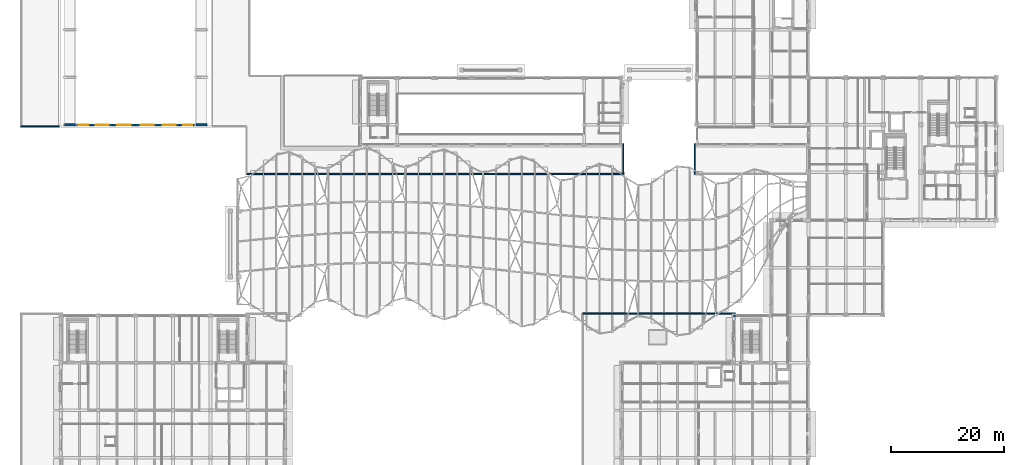
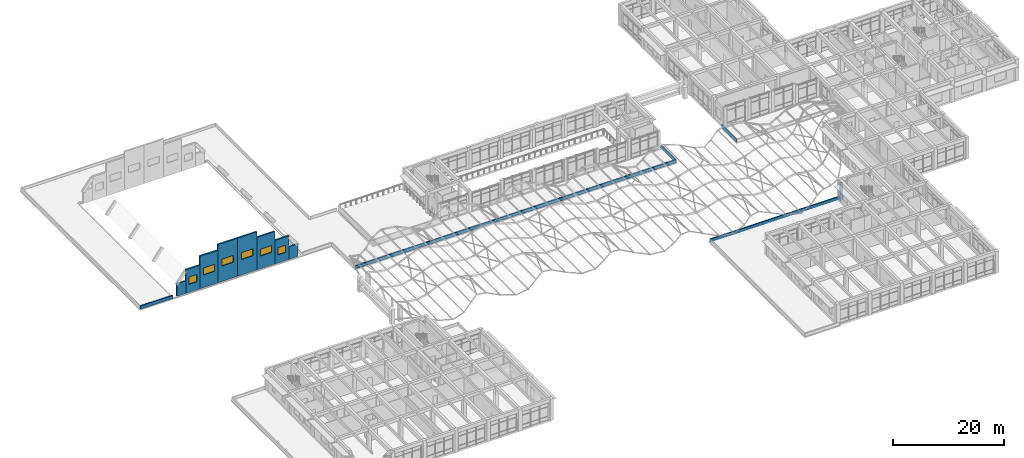
# One storey, part 54 of 79: 14 walls, 6 windows, 6 openings.
"""IFC4 building model written with IfcOpenShell, lengths in metres."""

from ifc_helpers import new_model, si_unit, direction, frame, frame_2d, origin, place, context, subcontext, project, spatial, rectangle, extrude, material, layer, layer_set, type_object, element, fill, save


model = new_model("IFC4")

# Units and contexts
model_context = context("Model", 3, precision=1e-05, world=origin(), true_north=direction((0.0, 1.0)))
body_context = subcontext(model_context, "Body", "Model", "MODEL_VIEW")
ifc_project = project(units=[si_unit("LENGTHUNIT", "METRE"), si_unit("AREAUNIT", "SQUARE_METRE"), si_unit("VOLUMEUNIT", "CUBIC_METRE"), si_unit("PLANEANGLEUNIT", "RADIAN"), si_unit("MASSUNIT", "GRAM", prefix="KILO")], contexts=[model_context])

# Site, building, storey
site_placement = place(None, origin())
site = spatial("IfcSite", under=ifc_project, at=site_placement, CompositionType="ELEMENT")
building_placement = place(site_placement, origin())
building = spatial("IfcBuilding", under=site, at=building_placement, Name="Kolvaren Faculty of Natural Sciences", CompositionType="ELEMENT")
storey_placement = place(building_placement, frame((0.0, 0.0, 10.199951171875)))
storey = spatial("IfcBuildingStorey", under=building, at=storey_placement, Name="L02", CompositionType="ELEMENT", Elevation=10.199951171875)

# Walls
ifc_material_1 = material(Name="Sandstone-faced insulated cavity masonry", Category="masonry")
ifc_layer_1 = layer(ifc_material_1, 0.300048828125)
ifc_layer_set_1 = layer_set([ifc_layer_1], Name="Sandstone-faced insulated cavity masonry")
wall_type_1 = type_object("IfcWallType", Name="ExteriorCavityWall_300", PredefinedType="STANDARD", material=ifc_layer_set_1)
wall_1_placement = place(storey_placement, frame((125.60009765625, 42.050048828125, 0.0), z_axis=(0.0, 0.0, 1.0), x_axis=(1.0, 0.0, 0.0)))
element("IfcWall", 1, at=wall_1_placement, inside=storey, type_object=wall_type_1, Name="L02 curtain-wall pier stub 353", PredefinedType="STANDARD", context=body_context, shape_type="SweptSolid", body=[
    extrude(rectangle(XDim=0.52001953125, YDim=0.300048828125, at=frame_2d((0.260009765625, 0.0))), origin(), (0.0, 0.0, 1.0), 3.93505859375),
])
ifc_material_2 = material(Name="Concrete C40/50", Category="concrete")
ifc_layer_2 = layer(ifc_material_2, 0.320068359375)
ifc_layer_set_2 = layer_set([ifc_layer_2], Name="Concrete C40/50")
wall_type_2 = type_object("IfcWallType", Name="LectureBearingWall_320", PredefinedType="SHEAR", material=ifc_layer_set_2)
wall_2_placement = place(storey_placement, frame((9.321044921875, 75.800048828125, -0.050048828125), z_axis=(0.0, 0.0, 1.0), x_axis=(-1.0, 0.0, 0.0)))
element("IfcWall", 2, at=wall_2_placement, inside=storey, type_object=wall_type_2, Name="Lecture Theatre Pavilion Barrel Vault Shell S semicircular arch tympanum wall 2", PredefinedType="SHEAR", context=body_context, shape_type="SweptSolid", body=[
    extrude(rectangle(XDim=1.875, YDim=0.320068359375, at=frame_2d((0.9375, 0.0))), origin(), (0.0, 0.0, 1.0), 2.74951171875),
])

# Wall, opening, window
wall_3_placement = place(storey_placement, frame((12.2412109375, 75.800048828125, -0.050048828125), z_axis=(0.0, 0.0, 1.0), x_axis=(-1.0, 0.0, 0.0)))
wall_3 = element("IfcWall", 3, at=wall_3_placement, inside=storey, type_object=wall_type_2, Name="Lecture Theatre Pavilion Barrel Vault Shell S semicircular arch tympanum wall 3", PredefinedType="SHEAR", context=body_context, shape_type="SweptSolid", body=[
    extrude(rectangle(XDim=2.920166015625, YDim=0.320068359375, at=frame_2d((1.4599609375, 0.0))), origin(), (0.0, 0.0, 1.0), 5.20263671875),
])
opening_1_placement = place(wall_3_placement, frame((0.66015625, 0.0, 1.776123046875)))
opening_1 = element("IfcOpeningElement", 4, at=opening_1_placement, cuts=wall_3, Name="Opening WIN-15", PredefinedType="OPENING", context=body_context, shape_type="SweptSolid", body=[
    extrude(rectangle(XDim=1.60009765625, YDim=1.60009765625, at=frame_2d((0.800048828125, 0.800048828125))), frame((0.0, 0.169921875, 0.0), z_axis=(0.0, -1.0, 0.0), x_axis=(1.0, 0.0, 0.0)), (0.0, 0.0, 1.0), 0.340087890625),
])
ifc_material_3 = material(Name="Double low-E solar control insulated glazing", Category="glass")
window_type_1 = type_object("IfcWindowType", Name="AluWindow_WIN15_1600x1600", PartitioningType="SINGLE_PANEL", PredefinedType="WINDOW", material=ifc_material_3)
window_1_placement = place(opening_1_placement, origin())
window_1 = element("IfcWindow", 5, at=window_1_placement, inside=storey, type_object=window_type_1, Name="WNT-V1-S-03", OverallHeight=1.60009765625, OverallWidth=1.60009765625, PartitioningType="SINGLE_PANEL", PredefinedType="WINDOW", context=body_context, shape_type="SweptSolid", body=[
    extrude(rectangle(XDim=1.60009765625, YDim=1.60009765625, at=frame_2d((0.800048828125, 0.800048828125))), frame((0.0, 0.030029296875, 0.0), z_axis=(0.0, -1.0, 0.0), x_axis=(1.0, 0.0, 0.0)), (0.0, 0.0, 1.0), 0.06005859375),
])
fill(opening_1, window_1)

wall_4_placement = place(storey_placement, frame((15.9208984375, 75.800048828125, -0.050048828125), z_axis=(0.0, 0.0, 1.0), x_axis=(-1.0, 0.0, 0.0)))
wall_4 = element("IfcWall", 6, at=wall_4_placement, inside=storey, type_object=wall_type_2, Name="Lecture Theatre Pavilion Barrel Vault Shell S semicircular arch tympanum wall 4", PredefinedType="SHEAR", context=body_context, shape_type="SweptSolid", body=[
    extrude(rectangle(XDim=3.6796875, YDim=0.320068359375, at=frame_2d((1.83984375, 0.0))), origin(), (0.0, 0.0, 1.0), 7.1494140625),
])
opening_2_placement = place(wall_4_placement, frame((0.664794921875, 0.0, 2.799560546875)))
opening_2 = element("IfcOpeningElement", 7, at=opening_2_placement, cuts=wall_4, Name="Opening WIN-18", PredefinedType="OPENING", context=body_context, shape_type="SweptSolid", body=[
    extrude(rectangle(XDim=2.35009765625, YDim=1.5, at=frame_2d((1.175048828125, 0.75))), frame((0.0, 0.169921875, 0.0), z_axis=(0.0, -1.0, 0.0), x_axis=(1.0, 0.0, 0.0)), (0.0, 0.0, 1.0), 0.340087890625),
])
window_type_2 = type_object("IfcWindowType", Name="AluWindow_WIN18_2350x1500", PartitioningType="SINGLE_PANEL", PredefinedType="WINDOW", material=ifc_material_3)
window_2_placement = place(opening_2_placement, origin())
window_2 = element("IfcWindow", 8, at=window_2_placement, inside=storey, type_object=window_type_2, Name="WNT-V1-S-04", OverallHeight=1.5, OverallWidth=2.35009765625, PartitioningType="SINGLE_PANEL", PredefinedType="WINDOW", context=body_context, shape_type="SweptSolid", body=[
    extrude(rectangle(XDim=2.35009765625, YDim=1.5, at=frame_2d((1.175048828125, 0.75))), frame((0.0, 0.030029296875, 0.0), z_axis=(0.0, -1.0, 0.0), x_axis=(1.0, 0.0, 0.0)), (0.0, 0.0, 1.0), 0.06005859375),
])
fill(opening_2, window_2)

wall_5_placement = place(storey_placement, frame((20.0, 75.800048828125, -0.050048828125), z_axis=(0.0, 0.0, 1.0), x_axis=(-1.0, 0.0, 0.0)))
wall_5 = element("IfcWall", 9, at=wall_5_placement, inside=storey, type_object=wall_type_2, Name="Lecture Theatre Pavilion Barrel Vault Shell S semicircular arch tympanum wall 5", PredefinedType="SHEAR", context=body_context, shape_type="SweptSolid", body=[
    extrude(rectangle(XDim=4.0791015625, YDim=0.320068359375, at=frame_2d((2.03955078125, 0.0))), origin(), (0.0, 0.0, 1.0), 8.3994140625),
])
opening_3_placement = place(wall_5_placement, frame((0.864501953125, 0.0, 3.424560546875)))
opening_3 = element("IfcOpeningElement", 10, at=opening_3_placement, cuts=wall_5, Name="Opening WIN-18", PredefinedType="OPENING", context=body_context, shape_type="SweptSolid", body=[
    extrude(rectangle(XDim=2.35009765625, YDim=1.5, at=frame_2d((1.175048828125, 0.75))), frame((0.0, 0.169921875, 0.0), z_axis=(0.0, -1.0, 0.0), x_axis=(1.0, 0.0, 0.0)), (0.0, 0.0, 1.0), 0.340087890625),
])
window_3_placement = place(opening_3_placement, origin())
window_3 = element("IfcWindow", 11, at=window_3_placement, inside=storey, type_object=window_type_2, Name="WNT-V1-S-05", OverallHeight=1.5, OverallWidth=2.35009765625, PartitioningType="SINGLE_PANEL", PredefinedType="WINDOW", context=body_context, shape_type="SweptSolid", body=[
    extrude(rectangle(XDim=2.35009765625, YDim=1.5, at=frame_2d((1.175048828125, 0.75))), frame((0.0, 0.030029296875, 0.0), z_axis=(0.0, -1.0, 0.0), x_axis=(1.0, 0.0, 0.0)), (0.0, 0.0, 1.0), 0.06005859375),
])
fill(opening_3, window_3)

wall_6_placement = place(storey_placement, frame((24.0791015625, 75.800048828125, -0.050048828125), z_axis=(0.0, 0.0, 1.0), x_axis=(-1.0, 0.0, 0.0)))
wall_6 = element("IfcWall", 12, at=wall_6_placement, inside=storey, type_object=wall_type_2, Name="Lecture Theatre Pavilion Barrel Vault Shell S semicircular arch tympanum wall 6", PredefinedType="SHEAR", context=body_context, shape_type="SweptSolid", body=[
    extrude(rectangle(XDim=4.0791015625, YDim=0.320068359375, at=frame_2d((2.03955078125, 0.0))), origin(), (0.0, 0.0, 1.0), 8.3994140625),
])
opening_4_placement = place(wall_6_placement, frame((0.864501953125, 0.0, 3.424560546875)))
opening_4 = element("IfcOpeningElement", 13, at=opening_4_placement, cuts=wall_6, Name="Opening WIN-18", PredefinedType="OPENING", context=body_context, shape_type="SweptSolid", body=[
    extrude(rectangle(XDim=2.35009765625, YDim=1.5, at=frame_2d((1.175048828125, 0.75))), frame((0.0, 0.169921875, 0.0), z_axis=(0.0, -1.0, 0.0), x_axis=(1.0, 0.0, 0.0)), (0.0, 0.0, 1.0), 0.340087890625),
])
window_4_placement = place(opening_4_placement, origin())
window_4 = element("IfcWindow", 14, at=window_4_placement, inside=storey, type_object=window_type_2, Name="WNT-V1-S-06", OverallHeight=1.5, OverallWidth=2.35009765625, PartitioningType="SINGLE_PANEL", PredefinedType="WINDOW", context=body_context, shape_type="SweptSolid", body=[
    extrude(rectangle(XDim=2.35009765625, YDim=1.5, at=frame_2d((1.175048828125, 0.75))), frame((0.0, 0.030029296875, 0.0), z_axis=(0.0, -1.0, 0.0), x_axis=(1.0, 0.0, 0.0)), (0.0, 0.0, 1.0), 0.06005859375),
])
fill(opening_4, window_4)

wall_7_placement = place(storey_placement, frame((27.7587890625, 75.800048828125, -0.050048828125), z_axis=(0.0, 0.0, 1.0), x_axis=(-1.0, 0.0, 0.0)))
wall_7 = element("IfcWall", 15, at=wall_7_placement, inside=storey, type_object=wall_type_2, Name="Lecture Theatre Pavilion Barrel Vault Shell S semicircular arch tympanum wall 7", PredefinedType="SHEAR", context=body_context, shape_type="SweptSolid", body=[
    extrude(rectangle(XDim=3.6796875, YDim=0.320068359375, at=frame_2d((1.83984375, 0.0))), origin(), (0.0, 0.0, 1.0), 7.1494140625),
])
opening_5_placement = place(wall_7_placement, frame((0.664794921875, 0.0, 2.799560546875)))
opening_5 = element("IfcOpeningElement", 16, at=opening_5_placement, cuts=wall_7, Name="Opening WIN-18", PredefinedType="OPENING", context=body_context, shape_type="SweptSolid", body=[
    extrude(rectangle(XDim=2.35009765625, YDim=1.5, at=frame_2d((1.175048828125, 0.75))), frame((0.0, 0.169921875, 0.0), z_axis=(0.0, -1.0, 0.0), x_axis=(1.0, 0.0, 0.0)), (0.0, 0.0, 1.0), 0.340087890625),
])
window_5_placement = place(opening_5_placement, origin())
window_5 = element("IfcWindow", 17, at=window_5_placement, inside=storey, type_object=window_type_2, Name="WNT-V1-S-07", OverallHeight=1.5, OverallWidth=2.35009765625, PartitioningType="SINGLE_PANEL", PredefinedType="WINDOW", context=body_context, shape_type="SweptSolid", body=[
    extrude(rectangle(XDim=2.35009765625, YDim=1.5, at=frame_2d((1.175048828125, 0.75))), frame((0.0, 0.030029296875, 0.0), z_axis=(0.0, -1.0, 0.0), x_axis=(1.0, 0.0, 0.0)), (0.0, 0.0, 1.0), 0.06005859375),
])
fill(opening_5, window_5)

wall_8_placement = place(storey_placement, frame((30.678955078125, 75.800048828125, -0.050048828125), z_axis=(0.0, 0.0, 1.0), x_axis=(-1.0, 0.0, 0.0)))
wall_8 = element("IfcWall", 18, at=wall_8_placement, inside=storey, type_object=wall_type_2, Name="Lecture Theatre Pavilion Barrel Vault Shell S semicircular arch tympanum wall 8", PredefinedType="SHEAR", context=body_context, shape_type="SweptSolid", body=[
    extrude(rectangle(XDim=2.920166015625, YDim=0.320068359375, at=frame_2d((1.4599609375, 0.0))), origin(), (0.0, 0.0, 1.0), 5.20263671875),
])
opening_6_placement = place(wall_8_placement, frame((0.66015625, 0.0, 1.776123046875)))
opening_6 = element("IfcOpeningElement", 19, at=opening_6_placement, cuts=wall_8, Name="Opening WIN-15", PredefinedType="OPENING", context=body_context, shape_type="SweptSolid", body=[
    extrude(rectangle(XDim=1.60009765625, YDim=1.60009765625, at=frame_2d((0.800048828125, 0.800048828125))), frame((0.0, 0.169921875, 0.0), z_axis=(0.0, -1.0, 0.0), x_axis=(1.0, 0.0, 0.0)), (0.0, 0.0, 1.0), 0.340087890625),
])
window_6_placement = place(opening_6_placement, origin())
window_6 = element("IfcWindow", 20, at=window_6_placement, inside=storey, type_object=window_type_1, Name="WNT-V1-S-08", OverallHeight=1.60009765625, OverallWidth=1.60009765625, PartitioningType="SINGLE_PANEL", PredefinedType="WINDOW", context=body_context, shape_type="SweptSolid", body=[
    extrude(rectangle(XDim=1.60009765625, YDim=1.60009765625, at=frame_2d((0.800048828125, 0.800048828125))), frame((0.0, 0.030029296875, 0.0), z_axis=(0.0, -1.0, 0.0), x_axis=(1.0, 0.0, 0.0)), (0.0, 0.0, 1.0), 0.06005859375),
])
fill(opening_6, window_6)

# Walls
wall_9_placement = place(storey_placement, frame((32.553955078125, 75.800048828125, -0.050048828125), z_axis=(0.0, 0.0, 1.0), x_axis=(-1.0, 0.0, 0.0)))
element("IfcWall", 21, at=wall_9_placement, inside=storey, type_object=wall_type_2, Name="Lecture Theatre Pavilion Barrel Vault Shell S semicircular arch tympanum wall 9", PredefinedType="SHEAR", context=body_context, shape_type="SweptSolid", body=[
    extrude(rectangle(XDim=1.875, YDim=0.320068359375, at=frame_2d((0.9375, 0.0))), origin(), (0.0, 0.0, 1.0), 2.74951171875),
])
ifc_material_4 = material(Name="Precast concrete C35/45", Category="concrete")
ifc_layer_3 = layer(ifc_material_4, 0.219970703125)
ifc_layer_set_3 = layer_set([ifc_layer_3], Name="Precast concrete C35/45")
wall_type_3 = type_object("IfcWallType", Name="ParapetUpstandWall_220", PredefinedType="PARAPET", material=ifc_layer_set_3)
wall_10_placement = place(storey_placement, frame((98.919921875, 42.47998046875, 0.0), z_axis=(0.0, 0.0, 1.0), x_axis=(1.0, 0.0, 0.0)))
element("IfcWall", 22, at=wall_10_placement, inside=storey, type_object=wall_type_3, Name="L02 architectural sandstone roof parapet 24", PredefinedType="PARAPET", context=body_context, shape_type="SweptSolid", body=[
    extrude(rectangle(XDim=26.91015625, YDim=0.219970703125, at=frame_2d((13.455078125, 0.0))), origin(), (0.0, 0.0, 1.0), 0.679931640625),
])
for number, where, z_axis, x_axis, name in (
    (23, (118.719970703125, 67.1201171875, 0.0), (0.0, 0.0, 1.0), (0.0, 1.0, 0.0), "L02 architectural sandstone roof parapet 28"),
    (24, (106.080078125, 72.429931640625, 0.0), (0.0, 0.0, 1.0), (0.0, -1.0, 0.0), "L02 architectural sandstone roof parapet 29"),
):
    element("IfcWall", number, at=place(storey_placement, frame(where, z_axis=z_axis, x_axis=x_axis)), inside=storey, type_object=wall_type_3, Name=name, PredefinedType="PARAPET", context=body_context, shape_type="SweptSolid", body=[
        extrude(rectangle(XDim=5.309814453125, YDim=0.219970703125, at=frame_2d((2.65478515625, 0.0))), origin(), (0.0, 0.0, 1.0), 0.679931640625),
    ])
wall_11_placement = place(storey_placement, frame((106.080078125, 67.1201171875, 0.0), z_axis=(0.0, 0.0, 1.0), x_axis=(-1.0, 0.0, 0.0)))
element("IfcWall", 25, at=wall_11_placement, inside=storey, type_object=wall_type_3, Name="L02 architectural sandstone roof parapet 30", PredefinedType="PARAPET", context=body_context, shape_type="SweptSolid", body=[
    extrude(rectangle(XDim=66.56005859375, YDim=0.219970703125, at=frame_2d((33.280029296875, 0.0))), origin(), (0.0, 0.0, 1.0), 0.679931640625),
])
wall_12_placement = place(storey_placement, frame((6.5, 75.52001953125, 0.0), z_axis=(0.0, 0.0, 1.0), x_axis=(-1.0, 0.0, 0.0)))
element("IfcWall", 26, at=wall_12_placement, inside=storey, type_object=wall_type_3, Name="L02 architectural sandstone roof parapet 33", PredefinedType="PARAPET", context=body_context, shape_type="SweptSolid", body=[
    extrude(rectangle(XDim=6.780029296875, YDim=0.219970703125, at=frame_2d((3.39013671875, 0.0))), origin(), (0.0, 0.0, 1.0), 0.679931640625),
])

save(model, "model.ifc")
